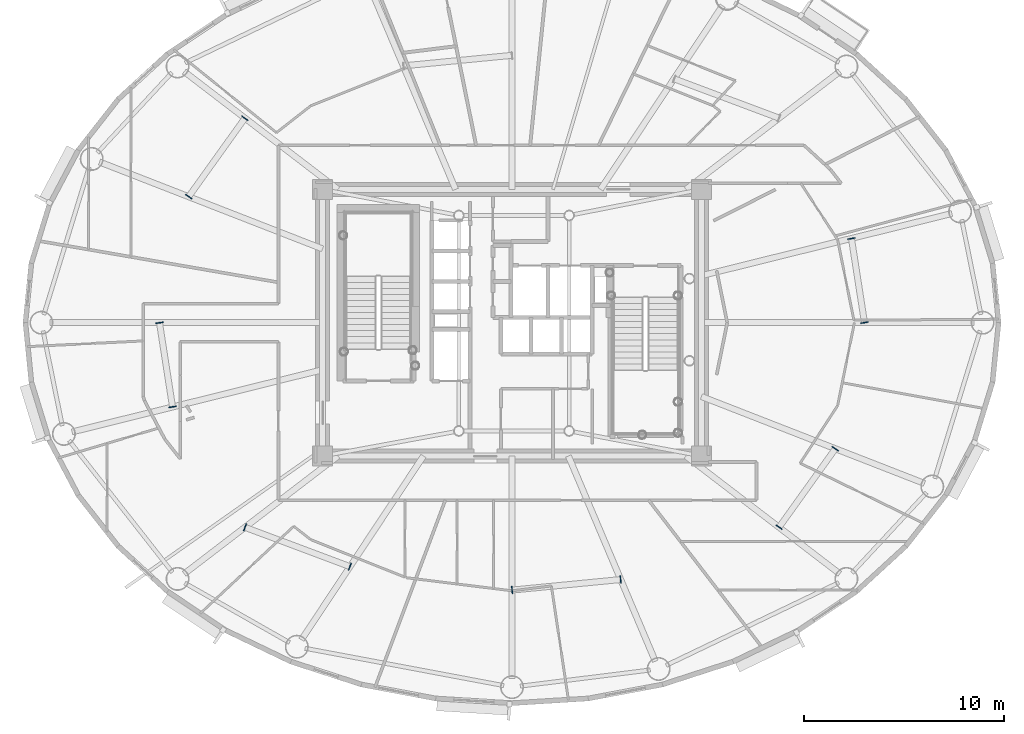
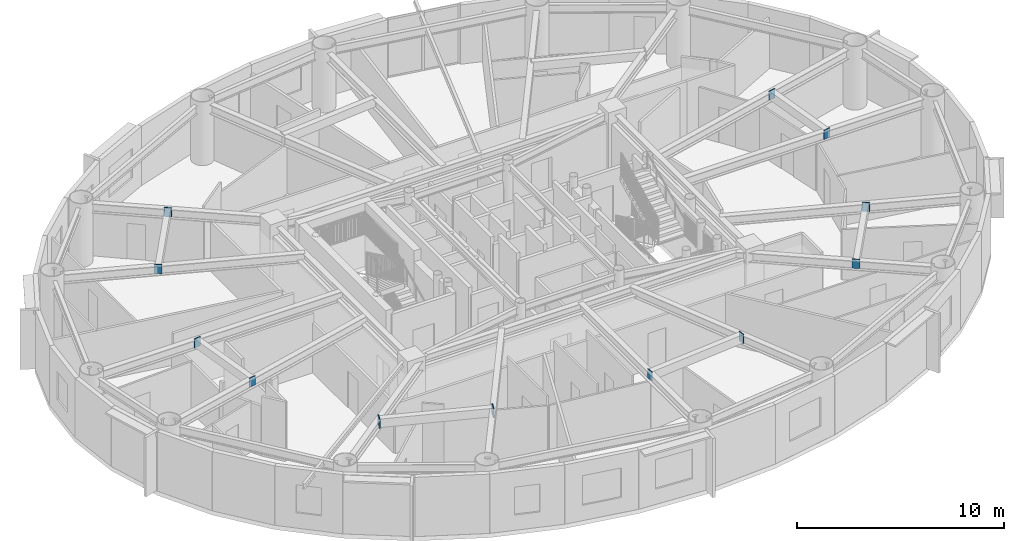
# One storey, part 7 of 21: 12 plates.
"""IFC4 building model written with IfcOpenShell, lengths in metres."""

from ifc_helpers import new_model, si_unit, direction, frame, origin, origin_2d, place, context, subcontext, project, spatial, rectangle, extrude, source, transform, mapped, material, layer, layer_set, type_object, element, save


model = new_model("IFC4")

# Units and contexts
model_context = context("Model", 3, precision=1e-05, world=origin(), true_north=direction((0.0, 1.0)))
body_context = subcontext(model_context, "Body", "Model", "MODEL_VIEW")
ifc_project = project(units=[si_unit("LENGTHUNIT", "METRE"), si_unit("AREAUNIT", "SQUARE_METRE"), si_unit("VOLUMEUNIT", "CUBIC_METRE"), si_unit("PLANEANGLEUNIT", "RADIAN"), si_unit("MASSUNIT", "GRAM", prefix="KILO")], contexts=[model_context])

# Site, building, storey
site_placement = place(None, origin())
site = spatial("IfcSite", under=ifc_project, at=site_placement, CompositionType="ELEMENT")
building_placement = place(site_placement, origin())
building = spatial("IfcBuilding", under=site, at=building_placement, Name="Linh Dai School and Residence Tower", CompositionType="ELEMENT")
storey_placement = place(building_placement, frame((0.0, 0.0, 229.050048828125)))
storey = spatial("IfcBuildingStorey", under=building, at=storey_placement, Name="L56", CompositionType="ELEMENT", Elevation=229.050048828125)

# Plates
ifc_material = material(Name="Structural Steel S355JR", Category="steel")
ifc_layer = layer(ifc_material, 0.0400390625)
ifc_layer_set = layer_set([ifc_layer], Name="Structural Steel S355JR")
plate_type = type_object("IfcPlateType", Name="PLT-GP1", PredefinedType="USERDEFINED", material=ifc_layer_set)
shared_shape = source(origin(), body_context, "Body", "SweptSolid", [
    extrude(rectangle(XDim=0.0400390625, YDim=0.3798828125, at=origin_2d()), origin(), (0.0, 0.0, 1.0), 0.5400390625),
])
for number, where, z_axis, x_axis, name in (
    (1, (53.583740234375, 27.0048828125, 2.97998046875), (0.0, 0.0, 1.0), (-0.153185627242, 0.988197431492, 0.0), "L56 Secondary Beam End Plate 01A"),
    (2, (52.93359375, 31.198974609375, 2.97998046875), (0.0, 0.0, 1.0), (-0.153185627242, 0.988197431492, 0.0), "L56 Secondary Beam End Plate 01B"),
    (3, (22.675048828125, 37.201904296875, 2.97998046875), (0.0, 0.0, 1.0), (-0.582040406941, -0.813159864164, 0.0), "L56 Secondary Beam End Plate 04A"),
    (4, (19.8740234375, 33.28857421875, 2.97998046875), (0.0, 0.0, 1.0), (-0.582040406941, -0.813159864164, 0.0), "L56 Secondary Beam End Plate 04B"),
    (5, (18.416259765625, 26.9951171875, 2.97998046875), (0.0, 0.0, 1.0), (0.153185627242, -0.988197431492, 0.0), "L56 Secondary Beam End Plate 05A"),
    (6, (19.06640625, 22.801025390625, 2.97998046875), (0.0, 0.0, 1.0), (0.153185627242, -0.988197431492, 0.0), "L56 Secondary Beam End Plate 05B"),
    (7, (22.6826171875, 16.792236328125, 2.97998046875), (0.0, 0.0, 1.0), (0.936533727109, -0.35057749213, 0.0), "L56 Secondary Beam End Plate 06A"),
    (8, (27.914306640625, 14.833984375, 2.97998046875), (0.0, 0.0, 1.0), (0.936533727109, -0.35057749213, 0.0), "L56 Secondary Beam End Plate 06B"),
    (9, (36.0048828125, 13.6630859375, 2.97998046875), (0.0, 0.0, 1.0), (0.995333315624, 0.096496584447, 0.0), "L56 Secondary Beam End Plate 07A"),
    (10, (41.418212890625, 14.18798828125, 2.97998046875), (0.0, 0.0, 1.0), (0.995333315624, 0.096496584447, 0.0), "L56 Secondary Beam End Plate 07B"),
    (11, (49.324951171875, 16.798095703125, 2.97998046875), (0.0, 0.0, 1.0), (0.582040406941, 0.813159864164, 0.0), "L56 Secondary Beam End Plate 08A"),
    (12, (52.1259765625, 20.71142578125, 2.97998046875), (0.0, 0.0, 1.0), (0.582040406941, 0.813159864164, 0.0), "L56 Secondary Beam End Plate 08B"),
):
    element("IfcPlate", number, at=place(storey_placement, frame(where, z_axis=z_axis, x_axis=x_axis)), inside=storey, type_object=plate_type, Name=name, ObjectType="GUSSET PLATE", PredefinedType="USERDEFINED", context=body_context, shape_type="MappedRepresentation", body=[
        mapped(shared_shape, transform((0.0, 0.0, 0.0), x_axis=(1.0, 0.0, 0.0), y_axis=(0.0, 1.0, 0.0), z_axis=(0.0, 0.0, 1.0), scale=1.0)),
    ])

save(model, "model.ifc")
